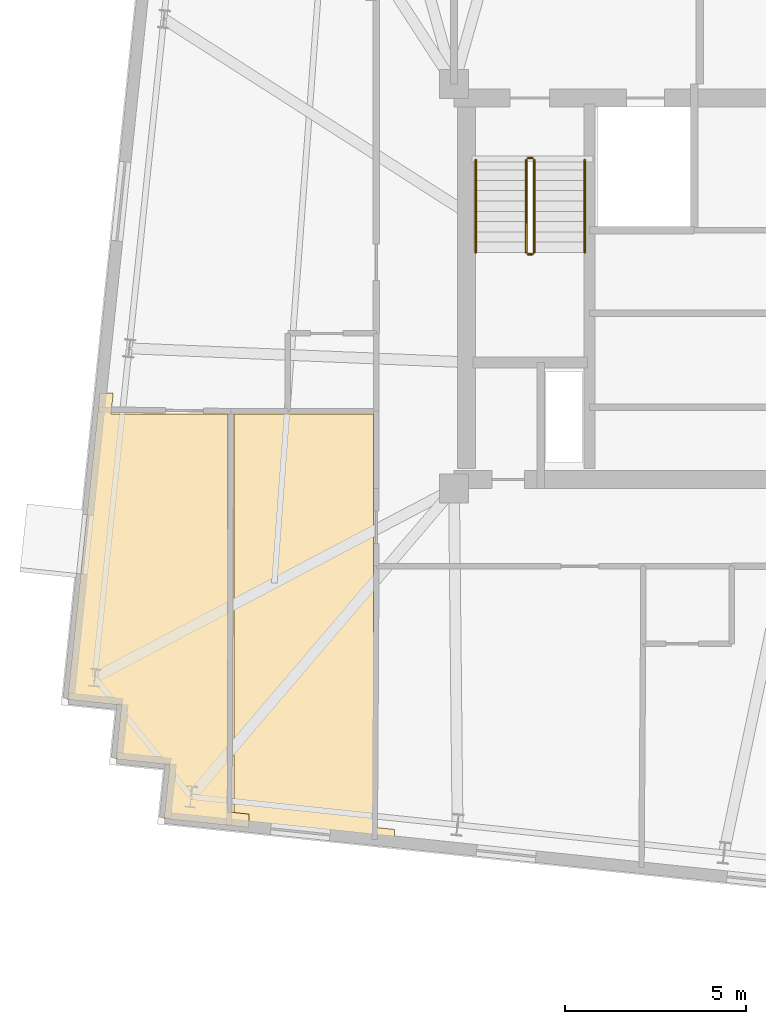
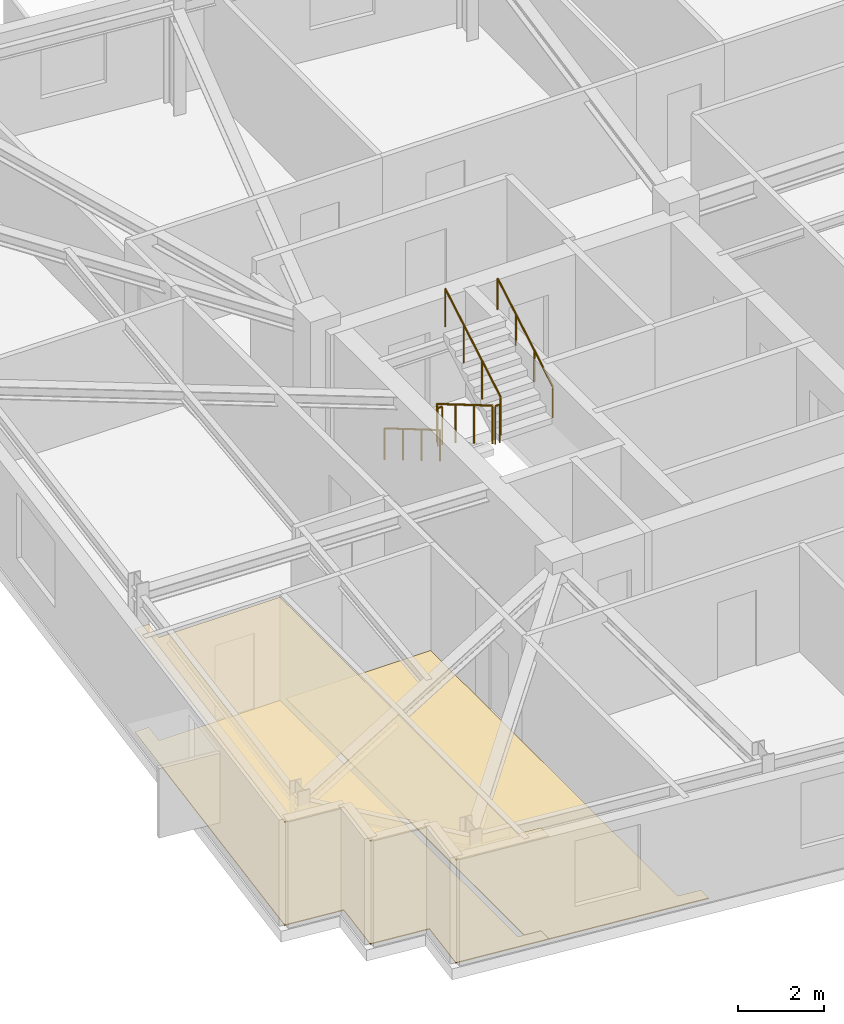
# One storey, part 10 of 11: 6 railings, 3 coverings.
"""IFC4 building model written with IfcOpenShell, lengths in metres."""

from ifc_helpers import new_model, si_unit, direction, frame, origin, origin_2d, place, context, subcontext, project, spatial, polyline, circle, outline, extrude, material, layer, layer_set, type_object, element, save


model = new_model("IFC4")

# Units and contexts
model_context = context("Model", 3, precision=1e-05, world=origin(), true_north=direction((0.0, 1.0)))
body_context = subcontext(model_context, "Body", "Model", "MODEL_VIEW")
ifc_project = project(units=[si_unit("LENGTHUNIT", "METRE"), si_unit("AREAUNIT", "SQUARE_METRE"), si_unit("VOLUMEUNIT", "CUBIC_METRE"), si_unit("PLANEANGLEUNIT", "RADIAN"), si_unit("MASSUNIT", "GRAM", prefix="KILO")], contexts=[model_context])

# Site, building, storey
site_placement = place(None, origin())
site = spatial("IfcSite", under=ifc_project, at=site_placement, CompositionType="ELEMENT")
building_placement = place(site_placement, origin())
building = spatial("IfcBuilding", under=site, at=building_placement, Name="Qobustan Lattice House", CompositionType="ELEMENT")
storey_placement = place(building_placement, frame((0.0, 0.0, 219.85009765625)))
storey = spatial("IfcBuildingStorey", under=building, at=storey_placement, Name="L62", CompositionType="ELEMENT", Elevation=219.85009765625)

# Coverings
ifc_material_1 = material(Name="Perforated gypsum acoustic ceiling", Category="gypsum")
ifc_layer_1 = layer(ifc_material_1, 0.030029296875)
ifc_layer_set_1 = layer_set([ifc_layer_1], Name="Perforated gypsum acoustic ceiling")
covering_type_1 = type_object("IfcCoveringType", Name="COV-ACOUSTIC-CEIL", PredefinedType="CEILING", material=ifc_layer_set_1)
covering_1_placement = place(storey_placement, frame((0.0, 0.0, 2.909912109375)))
element("IfcCovering", 1, at=covering_1_placement, inside=storey, type_object=covering_type_1, Name="L62 Focus study room W1A acoustic ceiling", PredefinedType="CEILING", context=body_context, shape_type="SweptSolid", body=[
    extrude(outline(polyline([(-26.826416015625, -14.73779296875), (-24.475830078125, -14.984619140625), (-24.475830078125, -14.61279296875), (-25.055908203125, -14.5517578125), (-25.055908203125, -3.535888671875), (-28.29345703125, -3.535888671875), (-28.232421875, -2.9560546875), (-28.6044921875, -2.9560546875), (-29.496337890625, -11.4404296875), (-28.004638671875, -11.597412109375), (-28.161376953125, -13.089111328125), (-26.669677734375, -13.245849609375), (-26.826416015625, -14.73779296875)])), origin(), (0.0, 0.0, 1.0), 0.030029296875),
])
ifc_material_2 = material(Name="Honed Absheron stone terrazzo flooring", Category="masonry")
ifc_layer_2 = layer(ifc_material_2, 0.02490234375)
ifc_layer_set_2 = layer_set([ifc_layer_2], Name="Honed Absheron stone terrazzo flooring")
covering_type_2 = type_object("IfcCoveringType", Name="COV-TERRAZZO-FLR", PredefinedType="FLOORING", material=ifc_layer_set_2)
covering_2_placement = place(storey_placement, origin())
element("IfcCovering", 2, at=covering_2_placement, inside=storey, type_object=covering_type_2, Name="L62 Focus study room W1A stone terrazzo flooring", PredefinedType="FLOORING", context=body_context, shape_type="SweptSolid", body=[
    extrude(outline(polyline([(-26.826416015625, -14.73779296875), (-24.475830078125, -14.984619140625), (-24.475830078125, -14.61279296875), (-25.055908203125, -14.5517578125), (-25.055908203125, -3.535888671875), (-28.29345703125, -3.535888671875), (-28.232421875, -2.9560546875), (-28.6044921875, -2.9560546875), (-29.496337890625, -11.4404296875), (-28.004638671875, -11.597412109375), (-28.161376953125, -13.089111328125), (-26.669677734375, -13.245849609375), (-26.826416015625, -14.73779296875)])), origin(), (0.0, 0.0, 1.0), 0.02490234375),
])
covering_3_placement = place(storey_placement, origin())
element("IfcCovering", 3, at=covering_3_placement, inside=storey, type_object=covering_type_2, Name="L62 Focus study room W1B stone terrazzo flooring", PredefinedType="FLOORING", context=body_context, shape_type="SweptSolid", body=[
    extrude(outline(polyline([(-20.449951171875, -15.407958984375), (-20.449951171875, -15.035888671875), (-21.030029296875, -14.974853515625), (-21.030029296875, -3.535888671875), (-24.895751953125, -3.535888671875), (-24.895751953125, -14.568603515625), (-25.475830078125, -14.507568359375), (-25.475830078125, -14.879638671875), (-20.449951171875, -15.407958984375)])), origin(), (0.0, 0.0, 1.0), 0.02490234375),
])

# Railings
ifc_material_3 = material(Name="Brushed stainless steel handrail", Category="steel")
railing_type_1 = type_object("IfcRailingType", Name="RAL-HR-920", PredefinedType="HANDRAIL", material=ifc_material_3)
railing_1_placement = place(storey_placement, frame((-18.199951171875, 3.5, 0.16748046875)))
element("IfcRailing", 4, at=railing_1_placement, inside=storey, type_object=railing_type_1, Name="L62 ST-W1 stair handrail 1", PredefinedType="HANDRAIL", context=body_context, shape_type="SweptSolid", body=[
    extrude(circle(Radius=0.02392578125, at=origin_2d()), frame((0.0, 0.0, 0.8759765625), z_axis=(0.0, -0.862149314443, 0.506654280161), x_axis=(1.0, 0.0, 0.0)), (0.0, 0.0, 1.0), 2.97509765625),
    extrude(circle(Radius=0.02099609375, at=origin_2d()), origin(), (0.0, 0.0, 1.0), 0.851806640625),
    extrude(circle(Radius=0.02099609375, at=origin_2d()), frame((0.0, -0.85498046875, 0.50244140625)), (0.0, 0.0, 1.0), 0.851806640625),
    extrude(circle(Radius=0.02099609375, at=origin_2d()), frame((0.0, -1.7099609375, 1.0048828125)), (0.0, 0.0, 1.0), 0.851806640625),
    extrude(circle(Radius=0.02099609375, at=origin_2d()), frame((0.0, -2.56494140625, 1.50732421875)), (0.0, 0.0, 1.0), 0.851806640625),
])
railing_2_placement = place(storey_placement, frame((-15.179931640625, 0.93505859375, 1.84228515625)))
element("IfcRailing", 5, at=railing_2_placement, inside=storey, type_object=railing_type_1, Name="L62 ST-W1 stair handrail 2", PredefinedType="HANDRAIL", context=body_context, shape_type="SweptSolid", body=[
    extrude(circle(Radius=0.02392578125, at=origin_2d()), frame((0.0, 0.0, 0.8759765625), z_axis=(0.0, 0.862113467892, 0.50671527358), x_axis=(-1.0, 0.0, 0.0)), (0.0, 0.0, 1.0), 2.97509765625),
    extrude(circle(Radius=0.02099609375, at=origin_2d()), origin(), (0.0, 0.0, 1.0), 0.851806640625),
    extrude(circle(Radius=0.02099609375, at=origin_2d()), frame((0.0, 0.85498046875, 0.50244140625)), (0.0, 0.0, 1.0), 0.851806640625),
    extrude(circle(Radius=0.02099609375, at=origin_2d()), frame((0.0, 1.7099609375, 1.005126953125)), (0.0, 0.0, 1.0), 0.851806640625),
    extrude(circle(Radius=0.02099609375, at=origin_2d()), frame((0.0, 2.56494140625, 1.507568359375)), (0.0, 0.0, 1.0), 0.851806640625),
])
ifc_material_4 = material(Name="Painted galvanized steel guardrail", Category="steel")
railing_type_2 = type_object("IfcRailingType", Name="RAL-STG-1150", PredefinedType="GUARDRAIL", material=ifc_material_4)
railing_3_placement = place(storey_placement, frame((-16.800048828125, 3.5, 0.16748046875)))
element("IfcRailing", 6, at=railing_3_placement, inside=storey, type_object=railing_type_2, Name="L62 ST-W1 stair guard 1", PredefinedType="GUARDRAIL", context=body_context, shape_type="SweptSolid", body=[
    extrude(circle(Radius=0.02392578125, at=origin_2d()), frame((0.0, 0.0, 1.076171875), z_axis=(0.0, -0.862149314443, 0.506654280161), x_axis=(1.0, 0.0, 0.0)), (0.0, 0.0, 1.0), 2.97509765625),
    extrude(circle(Radius=0.02099609375, at=origin_2d()), origin(), (0.0, 0.0, 1.0), 1.052001953125),
    extrude(circle(Radius=0.02099609375, at=origin_2d()), frame((0.0, -0.85498046875, 0.50244140625)), (0.0, 0.0, 1.0), 1.052001953125),
    extrude(circle(Radius=0.02099609375, at=origin_2d()), frame((0.0, -1.7099609375, 1.0048828125)), (0.0, 0.0, 1.0), 1.052001953125),
    extrude(circle(Radius=0.02099609375, at=origin_2d()), frame((0.0, -2.56494140625, 1.50732421875)), (0.0, 0.0, 1.0), 1.052001953125),
])
railing_4_placement = place(storey_placement, frame((-16.75, 0.885009765625, 1.6748046875)))
element("IfcRailing", 7, at=railing_4_placement, inside=storey, type_object=railing_type_2, Name="L62 ST-W1 stair guard 2", PredefinedType="GUARDRAIL", context=body_context, shape_type="SweptSolid", body=[
    extrude(circle(Radius=0.02392578125, at=origin_2d()), frame((0.0, 0.0, 1.076171875), z_axis=(1.0, 0.0, 0.0), x_axis=(0.0, 1.0, 0.0)), (0.0, 0.0, 1.0), 0.1201171875),
    extrude(circle(Radius=0.02099609375, at=origin_2d()), origin(), (0.0, 0.0, 1.0), 1.052001953125),
    extrude(circle(Radius=0.02099609375, at=origin_2d()), frame((0.1201171875, 0.0, 0.0)), (0.0, 0.0, 1.0), 1.052001953125),
])
railing_5_placement = place(storey_placement, frame((-16.580078125, 0.93505859375, 1.84228515625)))
element("IfcRailing", 8, at=railing_5_placement, inside=storey, type_object=railing_type_2, Name="L62 ST-W1 stair guard 3", PredefinedType="GUARDRAIL", context=body_context, shape_type="SweptSolid", body=[
    extrude(circle(Radius=0.02392578125, at=origin_2d()), frame((0.0, 0.0, 1.076171875), z_axis=(0.0, 0.862113467892, 0.50671527358), x_axis=(-1.0, 0.0, 0.0)), (0.0, 0.0, 1.0), 2.97509765625),
    extrude(circle(Radius=0.02099609375, at=origin_2d()), origin(), (0.0, 0.0, 1.0), 1.052001953125),
    extrude(circle(Radius=0.02099609375, at=origin_2d()), frame((0.0, 0.85498046875, 0.50244140625)), (0.0, 0.0, 1.0), 1.052001953125),
    extrude(circle(Radius=0.02099609375, at=origin_2d()), frame((0.0, 1.7099609375, 1.005126953125)), (0.0, 0.0, 1.0), 1.052001953125),
    extrude(circle(Radius=0.02099609375, at=origin_2d()), frame((0.0, 2.56494140625, 1.507568359375)), (0.0, 0.0, 1.0), 1.052001953125),
])
railing_6_placement = place(storey_placement, frame((-16.75, 3.550048828125, 0.0)))
element("IfcRailing", 9, at=railing_6_placement, inside=storey, type_object=railing_type_2, Name="L62 ST-W1 stair guard 4", PredefinedType="GUARDRAIL", context=body_context, shape_type="SweptSolid", body=[
    extrude(circle(Radius=0.02392578125, at=origin_2d()), frame((0.0, 0.0, 1.076171875), z_axis=(1.0, 0.0, 0.0), x_axis=(0.0, 1.0, 0.0)), (0.0, 0.0, 1.0), 0.1201171875),
    extrude(circle(Radius=0.02099609375, at=origin_2d()), origin(), (0.0, 0.0, 1.0), 1.052001953125),
    extrude(circle(Radius=0.02099609375, at=origin_2d()), frame((0.1201171875, 0.0, 0.0)), (0.0, 0.0, 1.0), 1.052001953125),
])

save(model, "model.ifc")
